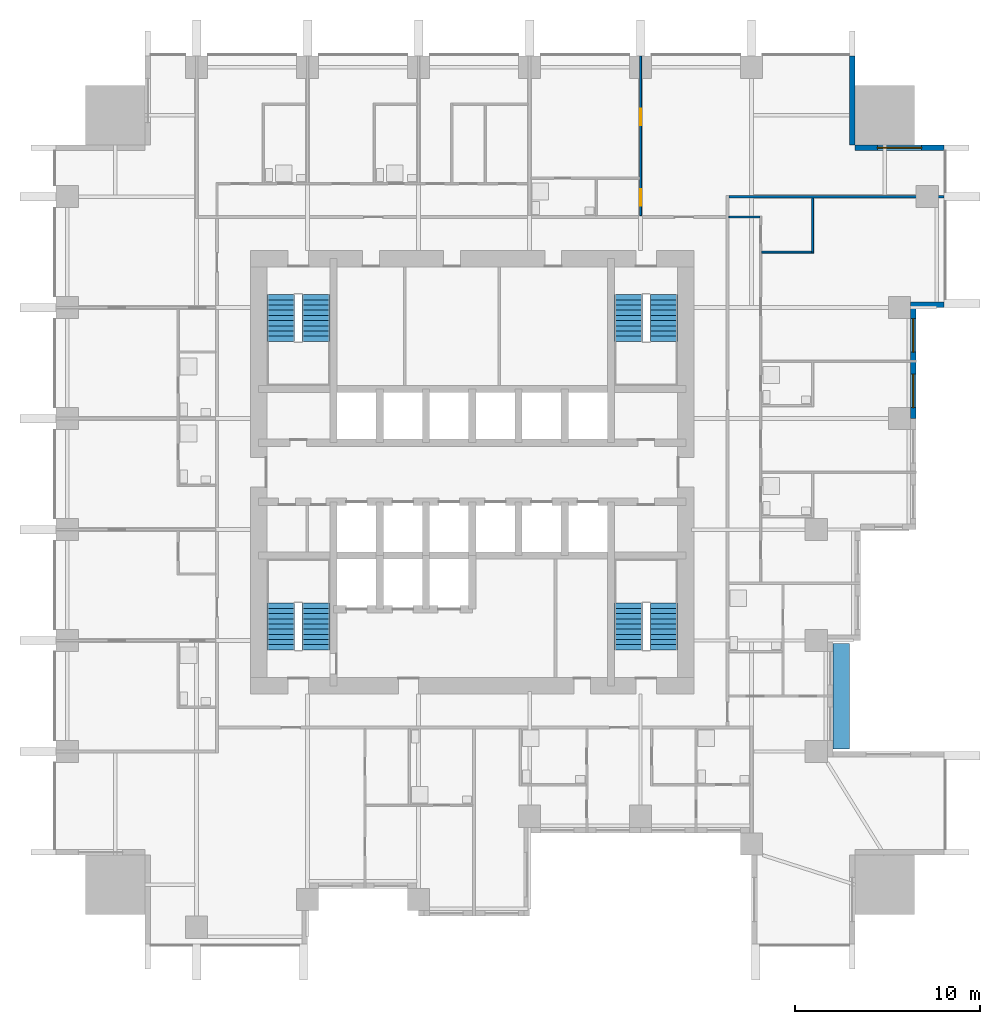
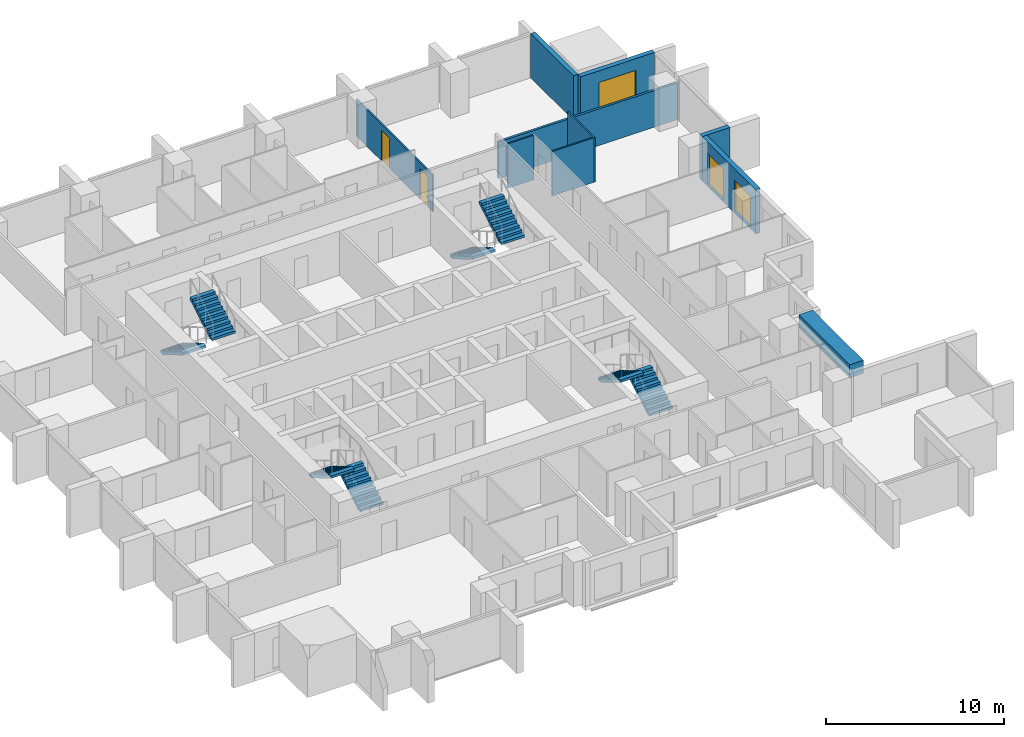
# One storey, part 8 of 10: 9 walls, 8 stair flights, 3 windows, 2 doors, 1 discrete accessory, 5 openings, 4 elements without a shape of their own.
"""IFC4 building model written with IfcOpenShell, lengths in metres."""

from ifc_helpers import new_model, si_unit, direction, frame, frame_2d, origin, origin_2d, place, context, subcontext, project, spatial, polyline, rectangle, outline, extrude, material, layer, layer_set, type_object, element, fill, aggregate, save


model = new_model("IFC4")

# Units and contexts
model_context = context("Model", 3, precision=1e-05, world=origin(), true_north=direction((0.0, 1.0)))
body_context = subcontext(model_context, "Body", "Model", "MODEL_VIEW")
ifc_project = project(units=[si_unit("LENGTHUNIT", "METRE"), si_unit("AREAUNIT", "SQUARE_METRE"), si_unit("VOLUMEUNIT", "CUBIC_METRE"), si_unit("PLANEANGLEUNIT", "RADIAN"), si_unit("MASSUNIT", "GRAM", prefix="KILO")], contexts=[model_context])

# Site, building, storey
site_placement = place(None, origin())
site = spatial("IfcSite", under=ifc_project, at=site_placement, CompositionType="ELEMENT")
building_placement = place(site_placement, origin())
building = spatial("IfcBuilding", under=site, at=building_placement, Name="Amberfall Residences", CompositionType="ELEMENT")
storey_placement = place(building_placement, frame((0.0, 0.0, 46.60009765625)))
storey = spatial("IfcBuildingStorey", under=building, at=storey_placement, Name="L12", CompositionType="ELEMENT", Elevation=46.60009765625)

# Wall
ifc_material_1 = material(Name="Pale stone cladding on insulated backing", Category="masonry")
ifc_layer_1 = layer(ifc_material_1, 0.300048828125)
ifc_layer_set_1 = layer_set([ifc_layer_1], Name="Bronze clad wall 300")
wall_type_1 = type_object("IfcWallType", Name="Bronze clad wall 300", PredefinedType="SOLIDWALL", material=ifc_layer_set_1)
wall_1_placement = place(storey_placement, frame((98.199951171875, 54.550048828125, 0.0), z_axis=(0.0, 0.0, 1.0), x_axis=(1.0, 0.0, 0.0)))
element("IfcWall", 1, at=wall_1_placement, inside=storey, type_object=wall_type_1, Name="External wall L12 E", PredefinedType="SOLIDWALL", context=body_context, shape_type="SweptSolid", body=[
    extrude(rectangle(XDim=1.800048828125, YDim=0.300048828125, at=frame_2d((0.89990234375, 0.0))), origin(), (0.0, 0.0, 1.0), 3.0498046875),
])

# Wall, opening, window
wall_2_placement = place(storey_placement, frame((100.0, 63.050048828125, 0.0), z_axis=(0.0, 0.0, 1.0), x_axis=(-1.0, 0.0, 0.0)))
wall_2 = element("IfcWall", 2, at=wall_2_placement, inside=storey, type_object=wall_type_1, Name="External wall L12 NE", PredefinedType="SOLIDWALL", context=body_context, shape_type="SweptSolid", body=[
    extrude(rectangle(XDim=4.800048828125, YDim=0.300048828125, at=frame_2d((2.39990234375, 0.0))), origin(), (0.0, 0.0, 1.0), 3.0498046875),
])
opening_1_placement = place(wall_2_placement, frame((1.199951171875, 0.0, 0.14990234375)))
opening_1 = element("IfcOpeningElement", 3, at=opening_1_placement, cuts=wall_2, Name="Opening WN5", PredefinedType="OPENING", context=body_context, shape_type="SweptSolid", body=[
    extrude(rectangle(XDim=2.39990234375, YDim=2.10009765625, at=frame_2d((1.199951171875, 1.050048828125))), frame((0.0, 0.159912109375, 0.0), z_axis=(0.0, -1.0, 0.0), x_axis=(1.0, 0.0, 0.0)), (0.0, 0.0, 1.0), 0.320068359375),
])
ifc_material_2 = material(Name="Bronze aluminium framed glazing", Category="aluminium")
window_type_1 = type_object("IfcWindowType", Name="Glazed opening 2400 x 2100 bronze", PartitioningType="DOUBLE_PANEL_VERTICAL", PredefinedType="WINDOW", material=ifc_material_2)
window_1_placement = place(opening_1_placement, origin())
window_1 = element("IfcWindow", 4, at=window_1_placement, inside=storey, type_object=window_type_1, Name="Window L12 NE", OverallHeight=2.10009765625, OverallWidth=2.39990234375, PartitioningType="DOUBLE_PANEL_VERTICAL", PredefinedType="WINDOW", context=body_context, shape_type="SweptSolid", body=[
    extrude(rectangle(XDim=2.39990234375, YDim=2.10009765625, at=frame_2d((1.199951171875, 1.050048828125))), frame((0.0, 0.030029296875, 0.0), z_axis=(0.0, -1.0, 0.0), x_axis=(1.0, 0.0, 0.0)), (0.0, 0.0, 1.0), 0.06005859375),
])
fill(opening_1, window_1)

# Wall
wall_3_placement = place(storey_placement, frame((95.050048828125, 63.199951171875, 0.0), z_axis=(0.0, 0.0, 1.0), x_axis=(0.0, 1.0, 0.0)))
element("IfcWall", 5, at=wall_3_placement, inside=storey, type_object=wall_type_1, Name="External wall L12 NE", PredefinedType="SOLIDWALL", context=body_context, shape_type="SweptSolid", body=[
    extrude(rectangle(XDim=4.800048828125, YDim=0.300048828125, at=frame_2d((2.39990234375, 0.0))), origin(), (0.0, 0.0, 1.0), 3.0498046875),
])

# Wall, openings, windows
wall_4_placement = place(storey_placement, frame((98.35009765625, 48.39990234375, 0.0), z_axis=(0.0, 0.0, 1.0), x_axis=(0.0, 1.0, 0.0)))
wall_4 = element("IfcWall", 6, at=wall_4_placement, inside=storey, type_object=wall_type_1, Name="Stone wall L12 E", PredefinedType="SOLIDWALL", context=body_context, shape_type="SweptSolid", body=[
    extrude(rectangle(XDim=6.0, YDim=0.300048828125, at=frame_2d((3.0, 0.0))), origin(), (0.0, 0.0, 1.0), 3.0498046875),
])
opening_2_placement = place(wall_4_placement, frame((0.60009765625, 0.0, 0.14990234375)))
opening_2 = element("IfcOpeningElement", 7, at=opening_2_placement, cuts=wall_4, Name="Opening WN6", PredefinedType="OPENING", context=body_context, shape_type="SweptSolid", body=[
    extrude(rectangle(XDim=1.800048828125, YDim=2.10009765625, at=frame_2d((0.89990234375, 1.050048828125))), frame((0.0, 0.159912109375, 0.0), z_axis=(0.0, -1.0, 0.0), x_axis=(1.0, 0.0, 0.0)), (0.0, 0.0, 1.0), 0.320068359375),
])
opening_3_placement = place(wall_4_placement, frame((3.60009765625, 0.0, 0.14990234375)))
opening_3 = element("IfcOpeningElement", 8, at=opening_3_placement, cuts=wall_4, Name="Opening WN6", PredefinedType="OPENING", context=body_context, shape_type="SweptSolid", body=[
    extrude(rectangle(XDim=1.800048828125, YDim=2.10009765625, at=frame_2d((0.89990234375, 1.050048828125))), frame((0.0, 0.159912109375, 0.0), z_axis=(0.0, -1.0, 0.0), x_axis=(1.0, 0.0, 0.0)), (0.0, 0.0, 1.0), 0.320068359375),
])
window_type_2 = type_object("IfcWindowType", Name="Glazed opening 1800 x 2100 bronze", PartitioningType="DOUBLE_PANEL_VERTICAL", PredefinedType="WINDOW", material=ifc_material_2)
window_2_placement = place(opening_2_placement, origin())
window_2 = element("IfcWindow", 9, at=window_2_placement, inside=storey, type_object=window_type_2, Name="Window L12 E", OverallHeight=2.10009765625, OverallWidth=1.800048828125, PartitioningType="DOUBLE_PANEL_VERTICAL", PredefinedType="WINDOW", context=body_context, shape_type="SweptSolid", body=[
    extrude(rectangle(XDim=1.800048828125, YDim=2.10009765625, at=frame_2d((0.89990234375, 1.050048828125))), frame((0.0, 0.030029296875, 0.0), z_axis=(0.0, -1.0, 0.0), x_axis=(1.0, 0.0, 0.0)), (0.0, 0.0, 1.0), 0.06005859375),
])
fill(opening_2, window_2)
window_3_placement = place(opening_3_placement, origin())
window_3 = element("IfcWindow", 10, at=window_3_placement, inside=storey, type_object=window_type_2, Name="Window L12 E", OverallHeight=2.10009765625, OverallWidth=1.800048828125, PartitioningType="DOUBLE_PANEL_VERTICAL", PredefinedType="WINDOW", context=body_context, shape_type="SweptSolid", body=[
    extrude(rectangle(XDim=1.800048828125, YDim=2.10009765625, at=frame_2d((0.89990234375, 1.050048828125))), frame((0.0, 0.030029296875, 0.0), z_axis=(0.0, -1.0, 0.0), x_axis=(1.0, 0.0, 0.0)), (0.0, 0.0, 1.0), 0.06005859375),
])
fill(opening_3, window_3)

# Wall, openings, doors
ifc_material_3 = material(Name="Gypsum board on metal stud")
ifc_layer_2 = layer(ifc_material_3, 0.10009765625)
ifc_layer_set_2 = layer_set([ifc_layer_2], Name="Flat partition 100")
wall_type_2 = type_object("IfcWallType", Name="Flat partition 100", PredefinedType="PARTITIONING", material=ifc_layer_set_2)
wall_5_placement = place(storey_placement, frame((83.60009765625, 59.375, 0.0), z_axis=(0.0, 0.0, 1.0), x_axis=(0.0, 1.0, 0.0)))
wall_5 = element("IfcWall", 11, at=wall_5_placement, inside=storey, type_object=wall_type_2, Name="Partition 016", PredefinedType="PARTITIONING", context=body_context, shape_type="SweptSolid", body=[
    extrude(rectangle(XDim=8.625, YDim=0.10009765625, at=frame_2d((4.3125, 0.0))), origin(), (0.0, 0.0, 1.0), 2.515869140625),
])
opening_4_placement = place(wall_5_placement, frame((0.52490234375, 0.0, 0.0)))
opening_4 = element("IfcOpeningElement", 12, at=opening_4_placement, cuts=wall_5, Name="Opening D41", PredefinedType="OPENING", context=body_context, shape_type="SweptSolid", body=[
    extrude(rectangle(XDim=0.89990234375, YDim=2.10009765625, at=frame_2d((0.449951171875, 1.050048828125))), frame((0.0, 0.06005859375, 0.0), z_axis=(0.0, -1.0, 0.0), x_axis=(1.0, 0.0, 0.0)), (0.0, 0.0, 1.0), 0.1201171875),
])
opening_5_placement = place(wall_5_placement, frame((4.875, 0.0, 0.0)))
opening_5 = element("IfcOpeningElement", 13, at=opening_5_placement, cuts=wall_5, Name="Opening D41", PredefinedType="OPENING", context=body_context, shape_type="SweptSolid", body=[
    extrude(rectangle(XDim=0.89990234375, YDim=2.10009765625, at=frame_2d((0.449951171875, 1.050048828125))), frame((0.0, 0.06005859375, 0.0), z_axis=(0.0, -1.0, 0.0), x_axis=(1.0, 0.0, 0.0)), (0.0, 0.0, 1.0), 0.1201171875),
])
ifc_material_4 = material(Name="Timber", Category="wood")
door_type = type_object("IfcDoorType", Name="Internal door 900 x 2100", OperationType="SINGLE_SWING_LEFT", PredefinedType="DOOR", material=ifc_material_4)
door_1_placement = place(opening_4_placement, origin())
door_1 = element("IfcDoor", 14, at=door_1_placement, inside=storey, type_object=door_type, Name="Door 1206 kitchen", OperationType="SINGLE_SWING_LEFT", OverallHeight=2.10009765625, OverallWidth=0.89990234375, PredefinedType="DOOR", context=body_context, shape_type="SweptSolid", body=[
    extrude(rectangle(XDim=0.89990234375, YDim=2.10009765625, at=frame_2d((0.449951171875, 1.050048828125))), frame((0.0, 0.02490234375, 0.0), z_axis=(0.0, -1.0, 0.0), x_axis=(1.0, 0.0, 0.0)), (0.0, 0.0, 1.0), 0.050048828125),
])
fill(opening_4, door_1)
door_2_placement = place(opening_5_placement, origin())
door_2 = element("IfcDoor", 15, at=door_2_placement, inside=storey, type_object=door_type, Name="Door 1206 bedroom1", OperationType="SINGLE_SWING_LEFT", OverallHeight=2.10009765625, OverallWidth=0.89990234375, PredefinedType="DOOR", context=body_context, shape_type="SweptSolid", body=[
    extrude(rectangle(XDim=0.89990234375, YDim=2.10009765625, at=frame_2d((0.449951171875, 1.050048828125))), frame((0.0, 0.02490234375, 0.0), z_axis=(0.0, -1.0, 0.0), x_axis=(1.0, 0.0, 0.0)), (0.0, 0.0, 1.0), 0.050048828125),
])
fill(opening_5, door_2)

# Walls
wall_6_placement = place(storey_placement, frame((92.89990234375, 57.35009765625, 0.0), z_axis=(0.0, 0.0, 1.0), x_axis=(0.0, 1.0, 0.0)))
element("IfcWall", 16, at=wall_6_placement, inside=storey, type_object=wall_type_2, Name="Partition 023", PredefinedType="PARTITIONING", context=body_context, shape_type="SweptSolid", body=[
    extrude(rectangle(XDim=2.974853515625, YDim=0.10009765625, at=frame_2d((1.4873046875, 0.0))), origin(), (0.0, 0.0, 1.0), 3.0498046875),
])
wall_7_placement = place(storey_placement, frame((88.375, 59.300048828125, 0.0), z_axis=(0.0, 0.0, 1.0), x_axis=(1.0, 0.0, 0.0)))
element("IfcWall", 17, at=wall_7_placement, inside=storey, type_object=wall_type_2, Name="Partition 029", PredefinedType="PARTITIONING", context=body_context, shape_type="SweptSolid", body=[
    extrude(rectangle(XDim=1.675048828125, YDim=0.10009765625, at=frame_2d((0.83740234375, 0.0))), origin(), (0.0, 0.0, 1.0), 3.0498046875),
])
wall_8_placement = place(storey_placement, frame((90.14990234375, 57.39990234375, 0.0), z_axis=(0.0, 0.0, 1.0), x_axis=(1.0, 0.0, 0.0)))
element("IfcWall", 18, at=wall_8_placement, inside=storey, type_object=wall_type_2, Name="Partition 030", PredefinedType="PARTITIONING", context=body_context, shape_type="SweptSolid", body=[
    extrude(rectangle(XDim=2.7001953125, YDim=0.10009765625, at=frame_2d((1.35009765625, 0.0))), origin(), (0.0, 0.0, 1.0), 3.0498046875),
])
ifc_material_5 = material(Name="Blockwork, plastered", Category="masonry")
ifc_layer_3 = layer(ifc_material_5, 0.14990234375)
ifc_layer_set_3 = layer_set([ifc_layer_3], Name="Flat separating wall 150")
wall_type_3 = type_object("IfcWallType", Name="Flat separating wall 150", PredefinedType="PARTITIONING", material=ifc_layer_set_3)
wall_9_placement = place(storey_placement, frame((88.375, 60.39990234375, 0.0), z_axis=(0.0, 0.0, 1.0), x_axis=(1.0, 0.0, 0.0)))
element("IfcWall", 19, at=wall_9_placement, inside=storey, type_object=wall_type_3, Name="Separating wall 053", PredefinedType="PARTITIONING", context=body_context, shape_type="SweptSolid", body=[
    extrude(rectangle(XDim=11.625, YDim=0.14990234375, at=frame_2d((5.8125, 0.0))), origin(), (0.0, 0.0, 1.0), 2.515869140625),
])

# Stair, stair flights
ifc_material_6 = material(Name="Concrete C40", Category="concrete")
stair_type = type_object("IfcStairType", Name="Exit stair 20 risers 165.0 mm", PredefinedType="HALF_TURN_STAIR", material=ifc_material_6)
stair_1_placement = place(storey_placement, origin())
stair_1 = element("IfcStair", 20, at=stair_1_placement, inside=storey, type_object=stair_type, Name="L12 Exit stair 1", PredefinedType="HALF_TURN_STAIR")
stair_flight_type = type_object("IfcStairFlightType", Name="Stair flight 10 risers 165.0 mm", PredefinedType="STRAIGHT", material=ifc_material_6)
stair_flight_1_placement = place(storey_placement, frame((66.050048828125, 35.89990234375, 0.0), z_axis=(0.0, 0.0, 1.0), x_axis=(0.0, 1.0, 0.0)))
stair_flight_1 = element("IfcStairFlight", 21, at=stair_flight_1_placement, type_object=stair_flight_type, Name="ST3 flight 1", NumberOfRisers=10, NumberOfTreads=9, PredefinedType="STRAIGHT", RiserHeight=0.165, TreadLength=0.28, context=body_context, shape_type="SweptSolid", body=[
    extrude(outline(polyline([(0.0, 0.0), (0.0, 0.1650390625), (0.280029296875, 0.1650390625), (0.280029296875, 0.330078125), (0.56005859375, 0.330078125), (0.56005859375, 0.4951171875), (0.840087890625, 0.4951171875), (0.840087890625, 0.659912109375), (1.1201171875, 0.659912109375), (1.1201171875, 0.824951171875), (1.39990234375, 0.824951171875), (1.39990234375, 0.989990234375), (1.679931640625, 0.989990234375), (1.679931640625, 1.155029296875), (1.9599609375, 1.155029296875), (1.9599609375, 1.320068359375), (2.239990234375, 1.320068359375), (2.239990234375, 1.485107421875), (2.52001953125, 1.485107421875), (2.52001953125, 1.64990234375), (2.52001953125, 1.31103515625), (0.295166015625, 0.0), (0.0, 0.0)])), frame((0.0, 0.75, 0.0), z_axis=(0.0, -1.0, 0.0), x_axis=(1.0, 0.0, 0.0)), (0.0, 0.0, 1.0), 1.5),
])
stair_flight_2_placement = place(storey_placement, frame((64.14990234375, 38.419921875, 1.64990234375), z_axis=(0.0, 0.0, 1.0), x_axis=(0.0, -1.0, 0.0)))
stair_flight_2 = element("IfcStairFlight", 22, at=stair_flight_2_placement, type_object=stair_flight_type, Name="ST3 flight 2", NumberOfRisers=10, NumberOfTreads=9, PredefinedType="STRAIGHT", RiserHeight=0.165, TreadLength=0.28, context=body_context, shape_type="SweptSolid", body=[
    extrude(outline(polyline([(0.0, 0.0), (0.0, 0.1650390625), (0.280029296875, 0.1650390625), (0.280029296875, 0.330078125), (0.56005859375, 0.330078125), (0.56005859375, 0.4951171875), (0.840087890625, 0.4951171875), (0.840087890625, 0.659912109375), (1.1201171875, 0.659912109375), (1.1201171875, 0.824951171875), (1.39990234375, 0.824951171875), (1.39990234375, 0.989990234375), (1.679931640625, 0.989990234375), (1.679931640625, 1.155029296875), (1.9599609375, 1.155029296875), (1.9599609375, 1.320068359375), (2.239990234375, 1.320068359375), (2.239990234375, 1.485107421875), (2.52001953125, 1.485107421875), (2.52001953125, 1.64990234375), (2.52001953125, 1.31103515625), (0.295166015625, 0.0), (0.0, 0.0)])), frame((0.0, 0.75, 0.0), z_axis=(0.0, -1.0, 0.0), x_axis=(1.0, 0.0, 0.0)), (0.0, 0.0, 1.0), 1.5),
])
aggregate(stair_1, [stair_flight_1, stair_flight_2])

stair_2_placement = place(storey_placement, origin())
stair_2 = element("IfcStair", 23, at=stair_2_placement, inside=storey, type_object=stair_type, Name="L12 Exit stair 2", PredefinedType="HALF_TURN_STAIR")
stair_flight_3_placement = place(storey_placement, frame((84.85009765625, 35.89990234375, 0.0), z_axis=(0.0, 0.0, 1.0), x_axis=(0.0, 1.0, 0.0)))
stair_flight_3 = element("IfcStairFlight", 24, at=stair_flight_3_placement, type_object=stair_flight_type, Name="ST3 flight 1", NumberOfRisers=10, NumberOfTreads=9, PredefinedType="STRAIGHT", RiserHeight=0.165, TreadLength=0.28, context=body_context, shape_type="SweptSolid", body=[
    extrude(outline(polyline([(0.0, 0.0), (0.0, 0.1650390625), (0.280029296875, 0.1650390625), (0.280029296875, 0.330078125), (0.56005859375, 0.330078125), (0.56005859375, 0.4951171875), (0.840087890625, 0.4951171875), (0.840087890625, 0.659912109375), (1.1201171875, 0.659912109375), (1.1201171875, 0.824951171875), (1.39990234375, 0.824951171875), (1.39990234375, 0.989990234375), (1.679931640625, 0.989990234375), (1.679931640625, 1.155029296875), (1.9599609375, 1.155029296875), (1.9599609375, 1.320068359375), (2.239990234375, 1.320068359375), (2.239990234375, 1.485107421875), (2.52001953125, 1.485107421875), (2.52001953125, 1.64990234375), (2.52001953125, 1.31103515625), (0.295166015625, 0.0), (0.0, 0.0)])), frame((0.0, 0.75, 0.0), z_axis=(0.0, -1.0, 0.0), x_axis=(1.0, 0.0, 0.0)), (0.0, 0.0, 1.0), 1.5),
])
stair_flight_4_placement = place(storey_placement, frame((82.949951171875, 38.419921875, 1.64990234375), z_axis=(0.0, 0.0, 1.0), x_axis=(0.0, -1.0, 0.0)))
stair_flight_4 = element("IfcStairFlight", 25, at=stair_flight_4_placement, type_object=stair_flight_type, Name="ST3 flight 2", NumberOfRisers=10, NumberOfTreads=9, PredefinedType="STRAIGHT", RiserHeight=0.165, TreadLength=0.28, context=body_context, shape_type="SweptSolid", body=[
    extrude(outline(polyline([(0.0, 0.0), (0.0, 0.1650390625), (0.280029296875, 0.1650390625), (0.280029296875, 0.330078125), (0.56005859375, 0.330078125), (0.56005859375, 0.4951171875), (0.840087890625, 0.4951171875), (0.840087890625, 0.659912109375), (1.1201171875, 0.659912109375), (1.1201171875, 0.824951171875), (1.39990234375, 0.824951171875), (1.39990234375, 0.989990234375), (1.679931640625, 0.989990234375), (1.679931640625, 1.155029296875), (1.9599609375, 1.155029296875), (1.9599609375, 1.320068359375), (2.239990234375, 1.320068359375), (2.239990234375, 1.485107421875), (2.52001953125, 1.485107421875), (2.52001953125, 1.64990234375), (2.52001953125, 1.31103515625), (0.295166015625, 0.0), (0.0, 0.0)])), frame((0.0, 0.75, 0.0), z_axis=(0.0, -1.0, 0.0), x_axis=(1.0, 0.0, 0.0)), (0.0, 0.0, 1.0), 1.5),
])
aggregate(stair_2, [stair_flight_3, stair_flight_4])

stair_3_placement = place(storey_placement, origin())
stair_3 = element("IfcStair", 26, at=stair_3_placement, inside=storey, type_object=stair_type, Name="L12 Exit stair 3", PredefinedType="HALF_TURN_STAIR")
stair_flight_5_placement = place(storey_placement, frame((82.949951171875, 55.10009765625, 0.0), z_axis=(0.0, 0.0, 1.0), x_axis=(0.0, -1.0, 0.0)))
stair_flight_5 = element("IfcStairFlight", 27, at=stair_flight_5_placement, type_object=stair_flight_type, Name="ST3 flight 1", NumberOfRisers=10, NumberOfTreads=9, PredefinedType="STRAIGHT", RiserHeight=0.165, TreadLength=0.28, context=body_context, shape_type="SweptSolid", body=[
    extrude(outline(polyline([(0.0, 0.0), (0.0, 0.1650390625), (0.280029296875, 0.1650390625), (0.280029296875, 0.330078125), (0.56005859375, 0.330078125), (0.56005859375, 0.4951171875), (0.840087890625, 0.4951171875), (0.840087890625, 0.659912109375), (1.1201171875, 0.659912109375), (1.1201171875, 0.824951171875), (1.39990234375, 0.824951171875), (1.39990234375, 0.989990234375), (1.679931640625, 0.989990234375), (1.679931640625, 1.155029296875), (1.9599609375, 1.155029296875), (1.9599609375, 1.320068359375), (2.239990234375, 1.320068359375), (2.239990234375, 1.485107421875), (2.52001953125, 1.485107421875), (2.52001953125, 1.64990234375), (2.52001953125, 1.31103515625), (0.295166015625, 0.0), (0.0, 0.0)])), frame((0.0, 0.75, 0.0), z_axis=(0.0, -1.0, 0.0), x_axis=(1.0, 0.0, 0.0)), (0.0, 0.0, 1.0), 1.5),
])
stair_flight_6_placement = place(storey_placement, frame((84.85009765625, 52.580078125, 1.64990234375), z_axis=(0.0, 0.0, 1.0), x_axis=(0.0, 1.0, 0.0)))
stair_flight_6 = element("IfcStairFlight", 28, at=stair_flight_6_placement, type_object=stair_flight_type, Name="ST3 flight 2", NumberOfRisers=10, NumberOfTreads=9, PredefinedType="STRAIGHT", RiserHeight=0.165, TreadLength=0.28, context=body_context, shape_type="SweptSolid", body=[
    extrude(outline(polyline([(0.0, 0.0), (0.0, 0.1650390625), (0.280029296875, 0.1650390625), (0.280029296875, 0.330078125), (0.56005859375, 0.330078125), (0.56005859375, 0.4951171875), (0.840087890625, 0.4951171875), (0.840087890625, 0.659912109375), (1.1201171875, 0.659912109375), (1.1201171875, 0.824951171875), (1.39990234375, 0.824951171875), (1.39990234375, 0.989990234375), (1.679931640625, 0.989990234375), (1.679931640625, 1.155029296875), (1.9599609375, 1.155029296875), (1.9599609375, 1.320068359375), (2.239990234375, 1.320068359375), (2.239990234375, 1.485107421875), (2.52001953125, 1.485107421875), (2.52001953125, 1.64990234375), (2.52001953125, 1.31103515625), (0.295166015625, 0.0), (0.0, 0.0)])), frame((0.0, 0.75, 0.0), z_axis=(0.0, -1.0, 0.0), x_axis=(1.0, 0.0, 0.0)), (0.0, 0.0, 1.0), 1.5),
])
aggregate(stair_3, [stair_flight_5, stair_flight_6])

stair_4_placement = place(storey_placement, origin())
stair_4 = element("IfcStair", 29, at=stair_4_placement, inside=storey, type_object=stair_type, Name="L12 Exit stair 4", PredefinedType="HALF_TURN_STAIR")
stair_flight_7_placement = place(storey_placement, frame((64.14990234375, 55.10009765625, 0.0), z_axis=(0.0, 0.0, 1.0), x_axis=(0.0, -1.0, 0.0)))
stair_flight_7 = element("IfcStairFlight", 30, at=stair_flight_7_placement, type_object=stair_flight_type, Name="ST3 flight 1", NumberOfRisers=10, NumberOfTreads=9, PredefinedType="STRAIGHT", RiserHeight=0.165, TreadLength=0.28, context=body_context, shape_type="SweptSolid", body=[
    extrude(outline(polyline([(0.0, 0.0), (0.0, 0.1650390625), (0.280029296875, 0.1650390625), (0.280029296875, 0.330078125), (0.56005859375, 0.330078125), (0.56005859375, 0.4951171875), (0.840087890625, 0.4951171875), (0.840087890625, 0.659912109375), (1.1201171875, 0.659912109375), (1.1201171875, 0.824951171875), (1.39990234375, 0.824951171875), (1.39990234375, 0.989990234375), (1.679931640625, 0.989990234375), (1.679931640625, 1.155029296875), (1.9599609375, 1.155029296875), (1.9599609375, 1.320068359375), (2.239990234375, 1.320068359375), (2.239990234375, 1.485107421875), (2.52001953125, 1.485107421875), (2.52001953125, 1.64990234375), (2.52001953125, 1.31103515625), (0.295166015625, 0.0), (0.0, 0.0)])), frame((0.0, 0.75, 0.0), z_axis=(0.0, -1.0, 0.0), x_axis=(1.0, 0.0, 0.0)), (0.0, 0.0, 1.0), 1.5),
])
stair_flight_8_placement = place(storey_placement, frame((66.050048828125, 52.580078125, 1.64990234375), z_axis=(0.0, 0.0, 1.0), x_axis=(0.0, 1.0, 0.0)))
stair_flight_8 = element("IfcStairFlight", 31, at=stair_flight_8_placement, type_object=stair_flight_type, Name="ST3 flight 2", NumberOfRisers=10, NumberOfTreads=9, PredefinedType="STRAIGHT", RiserHeight=0.165, TreadLength=0.28, context=body_context, shape_type="SweptSolid", body=[
    extrude(outline(polyline([(0.0, 0.0), (0.0, 0.1650390625), (0.280029296875, 0.1650390625), (0.280029296875, 0.330078125), (0.56005859375, 0.330078125), (0.56005859375, 0.4951171875), (0.840087890625, 0.4951171875), (0.840087890625, 0.659912109375), (1.1201171875, 0.659912109375), (1.1201171875, 0.824951171875), (1.39990234375, 0.824951171875), (1.39990234375, 0.989990234375), (1.679931640625, 0.989990234375), (1.679931640625, 1.155029296875), (1.9599609375, 1.155029296875), (1.9599609375, 1.320068359375), (2.239990234375, 1.320068359375), (2.239990234375, 1.485107421875), (2.52001953125, 1.485107421875), (2.52001953125, 1.64990234375), (2.52001953125, 1.31103515625), (0.295166015625, 0.0), (0.0, 0.0)])), frame((0.0, 0.75, 0.0), z_axis=(0.0, -1.0, 0.0), x_axis=(1.0, 0.0, 0.0)), (0.0, 0.0, 1.0), 1.5),
])
aggregate(stair_4, [stair_flight_7, stair_flight_8])

# Discrete accessory
discrete_accessory_placement = place(storey_placement, frame((94.449951171875, 33.39990234375, 2.39990234375), z_axis=(0.0, 0.0, 1.0), x_axis=(0.0, 1.0, 0.0)))
element("IfcDiscreteAccessory", 32, at=discrete_accessory_placement, inside=storey, Name="Planter box L13 E3", ObjectType="PLANTER BOX", PredefinedType="USERDEFINED", context=body_context, shape_type="SweptSolid", body=[
    extrude(rectangle(XDim=5.699951171875, YDim=0.89990234375, at=origin_2d()), origin(), (0.0, 0.0, 1.0), 0.89990234375),
])

save(model, "model.ifc")
